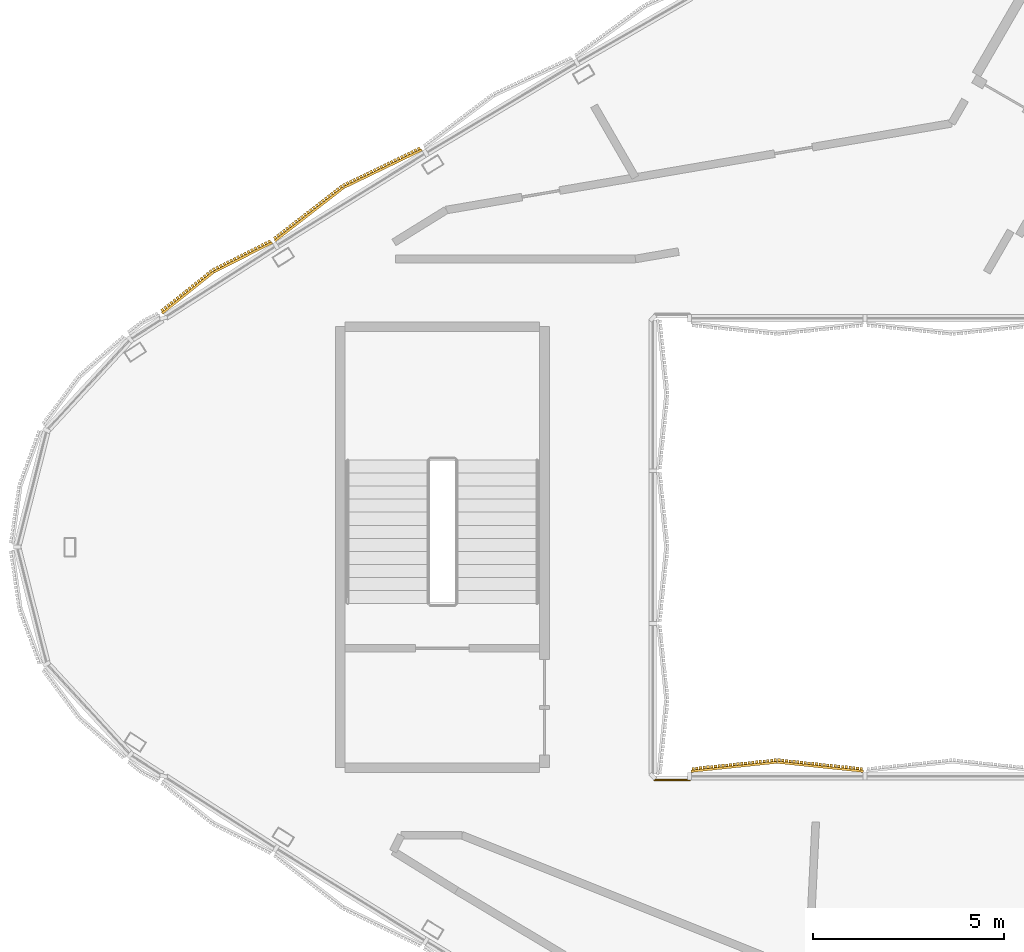
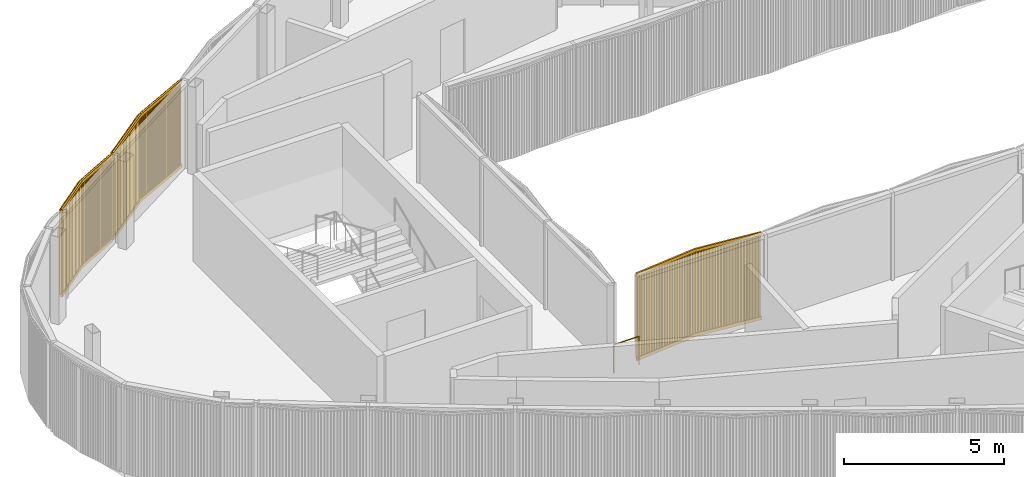
# One storey, part 10 of 16: 3 coverings, 1 railing.
"""IFC4 building model written with IfcOpenShell, lengths in metres."""

import ifcopenshell
import ifcopenshell.guid

model = None  # the IFC model being written
_history = None  # IfcOwnerHistory: only IFC2X3 demands one
_inside = {}  # id of a spatial element -> (the spatial element, [elements in it])
_under = {}  # id of a project, library or spatial element -> (it, [spatial elements below it])
_declared = {}  # id of a project -> (the project, [libraries it declares])
_typed = {}  # id of a type object -> (the type object, [elements of that type])
_made_of = {}  # id of a material, layer set ... -> (it, [elements and type objects made of it])


def new_model(schema):
    """Start an empty IFC model of exactly this schema.

    Asked for "IFC4X3", IfcOpenShell would pick the latest addendum, in which some entities
    have other attributes; the version numbers below select the first issue.
    IFC2X3 requires an IfcOwnerHistory on every rooted entity: one is made here for all.
    """
    global model, _history
    if schema == "IFC4X3":
        model = ifcopenshell.file(schema_version=(4, 3, 0, 0))
    else:
        model = ifcopenshell.file(schema=schema)
    _inside.clear()
    _under.clear()
    _declared.clear()
    _typed.clear()
    _made_of.clear()
    _history = None
    if model.schema == "IFC2X3":
        org = make("IfcOrganization", Name="unknown")
        user = make(
            "IfcPersonAndOrganization",
            ThePerson=make("IfcPerson", FamilyName="unknown"),
            TheOrganization=org,
        )
        app = make(
            "IfcApplication",
            ApplicationDeveloper=org,
            Version="unknown",
            ApplicationFullName="unknown",
            ApplicationIdentifier="unknown",
        )
        _history = make(
            "IfcOwnerHistory",
            OwningUser=user,
            OwningApplication=app,
            ChangeAction="ADDED",
            CreationDate=0,
        )
    return model


def make(cls, **values):
    """One entity of the class cls with the attributes given. An attribute that is None is left unset."""
    return model.create_entity(
        cls, **{name: value for name, value in values.items() if value is not None}
    )


def rooted(cls, **values):
    """An entity with a GlobalId (a new one), such as an element, a storey or a relation."""
    return make(cls, GlobalId=ifcopenshell.guid.new(), OwnerHistory=_history, **values)


def si_unit(unit_type, name, prefix=None):
    """IfcSIUnit, for example si_unit("LENGTHUNIT", "METRE", prefix="MILLI")."""
    return make("IfcSIUnit", UnitType=unit_type, Prefix=prefix, Name=name)


def assignment(units):
    """IfcUnitAssignment: the units of a project."""
    return None if units is None else make("IfcUnitAssignment", Units=units)


def point(xyz):
    """IfcCartesianPoint."""
    return None if xyz is None else make("IfcCartesianPoint", Coordinates=xyz)


def direction(xyz):
    """IfcDirection."""
    return None if xyz is None else make("IfcDirection", DirectionRatios=xyz)


def frame(location, z_axis=None, x_axis=None):
    """IfcAxis2Placement3D, a coordinate frame: its origin and axes. An axis left out is left unset."""
    return make(
        "IfcAxis2Placement3D",
        Location=point(location),
        Axis=direction(z_axis),
        RefDirection=direction(x_axis),
    )


def frame_2d(location, x_axis=None):
    """IfcAxis2Placement2D, a coordinate frame in the plane: its origin and x axis."""
    return make(
        "IfcAxis2Placement2D", Location=point(location), RefDirection=direction(x_axis)
    )


def origin():
    """The frame at (0, 0, 0) with its axes left unset."""
    return frame((0.0, 0.0, 0.0))


def origin_2d():
    """The frame at (0, 0) in the plane with its x axis left unset."""
    return frame_2d((0.0, 0.0))


def place(relative_to, where):
    """IfcLocalPlacement: puts the frame where relative to a parent placement (None: the world)."""
    return make(
        "IfcLocalPlacement", PlacementRelTo=relative_to, RelativePlacement=where
    )


def context(
    kind, dimensions, precision=None, world=None, true_north=None, identifier=None
):
    """IfcGeometricRepresentationContext, for example the 3D "Model" context."""
    return make(
        "IfcGeometricRepresentationContext",
        ContextIdentifier=identifier,
        ContextType=kind,
        CoordinateSpaceDimension=dimensions,
        Precision=precision,
        WorldCoordinateSystem=world,
        TrueNorth=true_north,
    )


def subcontext(parent, identifier, kind, view, scale=None):
    """IfcGeometricRepresentationSubContext, for example "Body" below "Model"."""
    return make(
        "IfcGeometricRepresentationSubContext",
        ContextIdentifier=identifier,
        ContextType=kind,
        ParentContext=parent,
        TargetScale=scale,
        TargetView=view,
    )


def project(units=None, contexts=None):
    """IfcProject with its units and contexts."""
    return rooted(
        "IfcProject",
        Name="project",
        RepresentationContexts=contexts,
        UnitsInContext=assignment(units),
    )


def spatial(cls, under=None, at=None, **own):
    """A site, building, storey or space (cls), placed at a placement, below another one or the project."""
    s = rooted(cls, ObjectPlacement=at, **own)
    if under is not None:
        _under.setdefault(under.id(), (under, []))[1].append(s)
    return s


def profile(cls, at=None, kind="AREA", **sizes):
    """A parametric profile (cls). Its sizes go by their IFC names, for example OverallWidth=200.0."""
    return make(cls, ProfileType=kind, Position=at, **sizes)


def rectangle(**sizes):
    """IfcRectangleProfileDef."""
    return profile("IfcRectangleProfileDef", **sizes)


def circle(**sizes):
    """IfcCircleProfileDef."""
    return profile("IfcCircleProfileDef", **sizes)


def extrude(swept, where, along, depth):
    """IfcExtrudedAreaSolid: the profile swept, set in the frame where, extruded along a direction by depth."""
    return make(
        "IfcExtrudedAreaSolid",
        SweptArea=swept,
        Position=where,
        ExtrudedDirection=direction(along),
        Depth=depth,
    )


def shape(context_of_items, identifier, shape_type, items):
    """IfcShapeRepresentation: the items that make up one representation, for example the "Body"."""
    return make(
        "IfcShapeRepresentation",
        ContextOfItems=context_of_items,
        RepresentationIdentifier=identifier,
        RepresentationType=shape_type,
        Items=items,
    )


def source(mapping_origin, context_of_items, identifier, shape_type, items):
    """IfcRepresentationMap: a shape defined once, which mapped items show again and again."""
    return make(
        "IfcRepresentationMap",
        MappingOrigin=mapping_origin,
        MappedRepresentation=shape(context_of_items, identifier, shape_type, items),
    )


def transform(
    local_origin,
    x_axis=None,
    y_axis=None,
    z_axis=None,
    scale=None,
    scale2=None,
    scale3=None,
    uniform=True,
):
    """IfcCartesianTransformationOperator3D, or its non-uniform kind. x_axis, y_axis, z_axis: its Axis1, 2, 3."""
    if uniform:
        return make(
            "IfcCartesianTransformationOperator3D",
            Axis1=direction(x_axis),
            Axis2=direction(y_axis),
            LocalOrigin=point(local_origin),
            Scale=scale,
            Axis3=direction(z_axis),
        )
    return make(
        "IfcCartesianTransformationOperator3DnonUniform",
        Axis1=direction(x_axis),
        Axis2=direction(y_axis),
        LocalOrigin=point(local_origin),
        Scale=scale,
        Axis3=direction(z_axis),
        Scale2=scale2,
        Scale3=scale3,
    )


def mapped(mapping_source, mapping_target):
    """IfcMappedItem: shows the shape of a source again, moved by a transform."""
    return make(
        "IfcMappedItem", MappingSource=mapping_source, MappingTarget=mapping_target
    )


def material(Name=None, Category=None):
    """IfcMaterial."""
    return make("IfcMaterial", Name=Name, Category=Category)


def made_of(thing, what):
    """Note that an element or type object is made of a material, layer set ...; save() writes the relation."""
    if what is not None:
        _made_of.setdefault(what.id(), (what, []))[1].append(thing)
    return thing


def type_object(cls, material=None, **own):
    """A type object (cls), such as IfcWallType, which elements share."""
    return made_of(rooted(cls, **own), material)


def element(
    cls,
    number,
    at=None,
    inside=None,
    cuts=None,
    type_object=None,
    material=None,
    context=None,
    identifier="Body",
    shape_type=None,
    held_by="IfcProductDefinitionShape",
    body=None,
    shapes=None,
    **own,
):
    """One element of the class cls, such as IfcWall. Its Tag is "e" and its number.

    at: its placement. inside: the storey or other place that contains it. cuts: it is an
    opening in that element (IfcRelVoidsElement). A single representation is given by context,
    identifier, shape_type and body (its items); several are given by shapes. held_by: the class
    of the entity that holds the representations. save() writes the other relations.
    """
    e = rooted(cls, Tag="e%d" % number, ObjectPlacement=at, **own)
    if body is not None:
        shapes = [shape(context, identifier, shape_type, body)]
    if shapes is not None:
        e.Representation = make(held_by, Representations=shapes)
    if inside is not None:
        _inside.setdefault(inside.id(), (inside, []))[1].append(e)
    if cuts is not None:
        rooted(
            "IfcRelVoidsElement", RelatingBuildingElement=cuts, RelatedOpeningElement=e
        )
    if type_object is not None:
        _typed.setdefault(type_object.id(), (type_object, []))[1].append(e)
    return made_of(e, material)


def aggregate(whole, parts):
    """IfcRelAggregates: a whole, such as a stair, and the parts it consists of."""
    return rooted("IfcRelAggregates", RelatingObject=whole, RelatedObjects=parts)


def save(model, path):
    """Write the relations noted so far, then the file.

    IfcRelAggregates (storeys below a building ...), IfcRelContainedInSpatialStructure (elements
    in a storey), IfcRelDefinesByType, IfcRelAssociatesMaterial and IfcRelDeclares: one each for
    every whole, place, type object, material and project.
    """
    for whole, parts in _under.values():
        aggregate(whole, parts)
    for where, things in _inside.values():
        rooted(
            "IfcRelContainedInSpatialStructure",
            RelatedElements=things,
            RelatingStructure=where,
        )
    for kind, things in _typed.values():
        rooted("IfcRelDefinesByType", RelatedObjects=things, RelatingType=kind)
    for what, things in _made_of.values():
        rooted("IfcRelAssociatesMaterial", RelatedObjects=things, RelatingMaterial=what)
    for by, libraries in _declared.values():
        rooted("IfcRelDeclares", RelatingContext=by, RelatedDefinitions=libraries)
    model.write(path)


model = new_model("IFC4")

# Units and contexts
model_context = context("Model", 3, precision=1e-05, world=origin(), true_north=direction((0.0, 1.0)))
body_context = subcontext(model_context, "Body", "Model", "MODEL_VIEW")
ifc_project = project(units=[si_unit("LENGTHUNIT", "METRE"), si_unit("AREAUNIT", "SQUARE_METRE"), si_unit("VOLUMEUNIT", "CUBIC_METRE"), si_unit("PLANEANGLEUNIT", "RADIAN"), si_unit("MASSUNIT", "GRAM", prefix="KILO")], contexts=[model_context])

# Site, building, storey
site_placement = place(None, origin())
site = spatial("IfcSite", under=ifc_project, at=site_placement, CompositionType="ELEMENT")
building_placement = place(site_placement, origin())
building = spatial("IfcBuilding", under=site, at=building_placement, Name="Tamra Quay Hotel Tower", CompositionType="ELEMENT")
storey_placement = place(building_placement, frame((0.0, 0.0, 324.199951171875)))
storey = spatial("IfcBuildingStorey", under=building, at=storey_placement, Name="Roof crown 2", CompositionType="ELEMENT", Elevation=324.199951171875)

# Railing
ifc_material_1 = material(Name="Stainless steel balustrade", Category="steel")
railing_type = type_object("IfcRailingType", Name="EXTERIOR GUARD 1100", PredefinedType="GUARDRAIL", material=ifc_material_1)
railing_placement = place(storey_placement, frame((-7.037353515625, -6.10009765625, 0.0)))
element("IfcRailing", 1, at=railing_placement, inside=storey, type_object=railing_type, Name="GR1", PredefinedType="GUARDRAIL", context=body_context, shape_type="SweptSolid", body=[
    extrude(circle(Radius=0.02392578125, at=origin_2d()), frame((0.0, 0.0, 1.076171875), z_axis=(-1.0, 0.0, 0.0), x_axis=(0.0, -1.0, 0.0)), (0.0, 0.0, 1.0), 0.91259765625),
    extrude(circle(Radius=0.02099609375, at=origin_2d()), origin(), (0.0, 0.0, 1.0), 1.052001953125),
    extrude(circle(Radius=0.02099609375, at=origin_2d()), frame((-0.91259765625, 0.0, 0.0)), (0.0, 0.0, 1.0), 1.052001953125),
])

# Coverings
ifc_material_2 = material(Name="Terracotta baguette extruded", Category="masonry")
covering_type = type_object("IfcCoveringType", Name="BAGUETTE SCREEN CROWN H3350", PredefinedType="USERDEFINED", material=ifc_material_2)
shared_shape_1 = source(origin(), body_context, "Body", "SweptSolid", [
    extrude(rectangle(XDim=2.27490234375, YDim=0.06005859375, at=frame_2d((1.137451171875, 0.030029296875))), frame((-2.268798828125, -0.0576171875, -0.1201171875), z_axis=(0.0, 0.0, 1.0), x_axis=(0.994521895368, -0.104528463268, 0.0)), (0.0, 0.0, 1.0), 0.1201171875),
    extrude(rectangle(XDim=2.27490234375, YDim=0.06005859375, at=frame_2d((1.137451171875, 0.030029296875))), frame((-2.268798828125, -0.0576171875, -3.35009765625), z_axis=(0.0, 0.0, 1.0), x_axis=(0.994521895368, -0.104528463268, 0.0)), (0.0, 0.0, 1.0), 0.1201171875),
    extrude(rectangle(XDim=0.070068359375, YDim=0.10009765625, at=frame_2d((0.03515625, 0.050048828125))), frame((-2.248291015625, -0.133056640625, -3.2900390625)), (0.0, 0.0, 1.0), 3.22998046875),
    extrude(rectangle(XDim=0.070068359375, YDim=0.10009765625, at=frame_2d((0.03515625, 0.050048828125))), frame((-2.14990234375, -0.1435546875, -3.2900390625)), (0.0, 0.0, 1.0), 3.22998046875),
    extrude(rectangle(XDim=0.070068359375, YDim=0.10009765625, at=frame_2d((0.03515625, 0.050048828125))), frame((-2.051513671875, -0.15380859375, -3.2900390625)), (0.0, 0.0, 1.0), 3.22998046875),
    extrude(rectangle(XDim=0.070068359375, YDim=0.10009765625, at=frame_2d((0.03515625, 0.050048828125))), frame((-1.953125, -0.164306640625, -3.2900390625)), (0.0, 0.0, 1.0), 3.22998046875),
    extrude(rectangle(XDim=0.070068359375, YDim=0.10009765625, at=frame_2d((0.03515625, 0.050048828125))), frame((-1.854736328125, -0.174560546875, -3.2900390625)), (0.0, 0.0, 1.0), 3.22998046875),
    extrude(rectangle(XDim=0.070068359375, YDim=0.10009765625, at=frame_2d((0.03515625, 0.050048828125))), frame((-1.756591796875, -0.184814453125, -3.2900390625)), (0.0, 0.0, 1.0), 3.22998046875),
    extrude(rectangle(XDim=0.070068359375, YDim=0.10009765625, at=frame_2d((0.03515625, 0.050048828125))), frame((-1.658203125, -0.1953125, -3.2900390625)), (0.0, 0.0, 1.0), 3.22998046875),
    extrude(rectangle(XDim=0.070068359375, YDim=0.10009765625, at=frame_2d((0.03515625, 0.050048828125))), frame((-1.559814453125, -0.20556640625, -3.2900390625)), (0.0, 0.0, 1.0), 3.22998046875),
    extrude(rectangle(XDim=0.070068359375, YDim=0.10009765625, at=frame_2d((0.03515625, 0.050048828125))), frame((-1.46142578125, -0.2158203125, -3.2900390625)), (0.0, 0.0, 1.0), 3.22998046875),
    extrude(rectangle(XDim=0.070068359375, YDim=0.10009765625, at=frame_2d((0.03515625, 0.050048828125))), frame((-1.363037109375, -0.226318359375, -3.2900390625)), (0.0, 0.0, 1.0), 3.22998046875),
    extrude(rectangle(XDim=0.070068359375, YDim=0.10009765625, at=frame_2d((0.03515625, 0.050048828125))), frame((-1.2646484375, -0.236572265625, -3.2900390625)), (0.0, 0.0, 1.0), 3.22998046875),
    extrude(rectangle(XDim=0.070068359375, YDim=0.10009765625, at=frame_2d((0.03515625, 0.050048828125))), frame((-1.166259765625, -0.246826171875, -3.2900390625)), (0.0, 0.0, 1.0), 3.22998046875),
    extrude(rectangle(XDim=0.070068359375, YDim=0.10009765625, at=frame_2d((0.03515625, 0.050048828125))), frame((-1.06787109375, -0.25732421875, -3.2900390625)), (0.0, 0.0, 1.0), 3.22998046875),
    extrude(rectangle(XDim=0.070068359375, YDim=0.10009765625, at=frame_2d((0.03515625, 0.050048828125))), frame((-0.969482421875, -0.267578125, -3.2900390625)), (0.0, 0.0, 1.0), 3.22998046875),
    extrude(rectangle(XDim=0.070068359375, YDim=0.10009765625, at=frame_2d((0.03515625, 0.050048828125))), frame((-0.87109375, -0.27783203125, -3.2900390625)), (0.0, 0.0, 1.0), 3.22998046875),
    extrude(rectangle(XDim=0.070068359375, YDim=0.10009765625, at=frame_2d((0.03515625, 0.050048828125))), frame((-0.772705078125, -0.288330078125, -3.2900390625)), (0.0, 0.0, 1.0), 3.22998046875),
    extrude(rectangle(XDim=0.070068359375, YDim=0.10009765625, at=frame_2d((0.03515625, 0.050048828125))), frame((-0.67431640625, -0.298583984375, -3.2900390625)), (0.0, 0.0, 1.0), 3.22998046875),
    extrude(rectangle(XDim=0.070068359375, YDim=0.10009765625, at=frame_2d((0.03515625, 0.050048828125))), frame((-0.575927734375, -0.308837890625, -3.2900390625)), (0.0, 0.0, 1.0), 3.22998046875),
    extrude(rectangle(XDim=0.070068359375, YDim=0.10009765625, at=frame_2d((0.03515625, 0.050048828125))), frame((-0.4775390625, -0.3193359375, -3.2900390625)), (0.0, 0.0, 1.0), 3.22998046875),
    extrude(rectangle(XDim=0.070068359375, YDim=0.10009765625, at=frame_2d((0.03515625, 0.050048828125))), frame((-0.37939453125, -0.32958984375, -3.2900390625)), (0.0, 0.0, 1.0), 3.22998046875),
    extrude(rectangle(XDim=0.070068359375, YDim=0.10009765625, at=frame_2d((0.03515625, 0.050048828125))), frame((-0.281005859375, -0.33984375, -3.2900390625)), (0.0, 0.0, 1.0), 3.22998046875),
    extrude(rectangle(XDim=0.070068359375, YDim=0.10009765625, at=frame_2d((0.03515625, 0.050048828125))), frame((-0.1826171875, -0.350341796875, -3.2900390625)), (0.0, 0.0, 1.0), 3.22998046875),
    extrude(rectangle(XDim=0.070068359375, YDim=0.10009765625, at=frame_2d((0.03515625, 0.050048828125))), frame((-0.084228515625, -0.360595703125, -3.2900390625)), (0.0, 0.0, 1.0), 3.22998046875),
    extrude(rectangle(XDim=2.27490234375, YDim=0.06005859375, at=frame_2d((1.137451171875, 0.030029296875))), frame((0.00634765625, -0.29541015625, -0.1201171875), z_axis=(0.0, 0.0, 1.0), x_axis=(0.994521895368, 0.104528463268, 0.0)), (0.0, 0.0, 1.0), 0.1201171875),
    extrude(rectangle(XDim=2.27490234375, YDim=0.06005859375, at=frame_2d((1.137451171875, 0.030029296875))), frame((0.00634765625, -0.29541015625, -3.35009765625), z_axis=(0.0, 0.0, 1.0), x_axis=(0.994521895368, 0.104528463268, 0.0)), (0.0, 0.0, 1.0), 0.1201171875),
    extrude(rectangle(XDim=0.070068359375, YDim=0.10009765625, at=frame_2d((0.03515625, 0.050048828125))), frame((0.01416015625, -0.360595703125, -3.2900390625)), (0.0, 0.0, 1.0), 3.22998046875),
    extrude(rectangle(XDim=0.070068359375, YDim=0.10009765625, at=frame_2d((0.03515625, 0.050048828125))), frame((0.112548828125, -0.350341796875, -3.2900390625)), (0.0, 0.0, 1.0), 3.22998046875),
    extrude(rectangle(XDim=0.070068359375, YDim=0.10009765625, at=frame_2d((0.03515625, 0.050048828125))), frame((0.2109375, -0.33984375, -3.2900390625)), (0.0, 0.0, 1.0), 3.22998046875),
    extrude(rectangle(XDim=0.070068359375, YDim=0.10009765625, at=frame_2d((0.03515625, 0.050048828125))), frame((0.309326171875, -0.32958984375, -3.2900390625)), (0.0, 0.0, 1.0), 3.22998046875),
    extrude(rectangle(XDim=0.070068359375, YDim=0.10009765625, at=frame_2d((0.03515625, 0.050048828125))), frame((0.40771484375, -0.3193359375, -3.2900390625)), (0.0, 0.0, 1.0), 3.22998046875),
    extrude(rectangle(XDim=0.070068359375, YDim=0.10009765625, at=frame_2d((0.03515625, 0.050048828125))), frame((0.506103515625, -0.308837890625, -3.2900390625)), (0.0, 0.0, 1.0), 3.22998046875),
    extrude(rectangle(XDim=0.070068359375, YDim=0.10009765625, at=frame_2d((0.03515625, 0.050048828125))), frame((0.6044921875, -0.298583984375, -3.2900390625)), (0.0, 0.0, 1.0), 3.22998046875),
    extrude(rectangle(XDim=0.070068359375, YDim=0.10009765625, at=frame_2d((0.03515625, 0.050048828125))), frame((0.702880859375, -0.288330078125, -3.2900390625)), (0.0, 0.0, 1.0), 3.22998046875),
    extrude(rectangle(XDim=0.070068359375, YDim=0.10009765625, at=frame_2d((0.03515625, 0.050048828125))), frame((0.801025390625, -0.27783203125, -3.2900390625)), (0.0, 0.0, 1.0), 3.22998046875),
    extrude(rectangle(XDim=0.070068359375, YDim=0.10009765625, at=frame_2d((0.03515625, 0.050048828125))), frame((0.8994140625, -0.267578125, -3.2900390625)), (0.0, 0.0, 1.0), 3.22998046875),
    extrude(rectangle(XDim=0.070068359375, YDim=0.10009765625, at=frame_2d((0.03515625, 0.050048828125))), frame((0.997802734375, -0.25732421875, -3.2900390625)), (0.0, 0.0, 1.0), 3.22998046875),
    extrude(rectangle(XDim=0.070068359375, YDim=0.10009765625, at=frame_2d((0.03515625, 0.050048828125))), frame((1.09619140625, -0.246826171875, -3.2900390625)), (0.0, 0.0, 1.0), 3.22998046875),
    extrude(rectangle(XDim=0.070068359375, YDim=0.10009765625, at=frame_2d((0.03515625, 0.050048828125))), frame((1.194580078125, -0.236572265625, -3.2900390625)), (0.0, 0.0, 1.0), 3.22998046875),
    extrude(rectangle(XDim=0.070068359375, YDim=0.10009765625, at=frame_2d((0.03515625, 0.050048828125))), frame((1.29296875, -0.226318359375, -3.2900390625)), (0.0, 0.0, 1.0), 3.22998046875),
    extrude(rectangle(XDim=0.070068359375, YDim=0.10009765625, at=frame_2d((0.03515625, 0.050048828125))), frame((1.391357421875, -0.2158203125, -3.2900390625)), (0.0, 0.0, 1.0), 3.22998046875),
    extrude(rectangle(XDim=0.070068359375, YDim=0.10009765625, at=frame_2d((0.03515625, 0.050048828125))), frame((1.48974609375, -0.20556640625, -3.2900390625)), (0.0, 0.0, 1.0), 3.22998046875),
    extrude(rectangle(XDim=0.070068359375, YDim=0.10009765625, at=frame_2d((0.03515625, 0.050048828125))), frame((1.588134765625, -0.1953125, -3.2900390625)), (0.0, 0.0, 1.0), 3.22998046875),
    extrude(rectangle(XDim=0.070068359375, YDim=0.10009765625, at=frame_2d((0.03515625, 0.050048828125))), frame((1.6865234375, -0.184814453125, -3.2900390625)), (0.0, 0.0, 1.0), 3.22998046875),
    extrude(rectangle(XDim=0.070068359375, YDim=0.10009765625, at=frame_2d((0.03515625, 0.050048828125))), frame((1.784912109375, -0.174560546875, -3.2900390625)), (0.0, 0.0, 1.0), 3.22998046875),
    extrude(rectangle(XDim=0.070068359375, YDim=0.10009765625, at=frame_2d((0.03515625, 0.050048828125))), frame((1.88330078125, -0.164306640625, -3.2900390625)), (0.0, 0.0, 1.0), 3.22998046875),
    extrude(rectangle(XDim=0.070068359375, YDim=0.10009765625, at=frame_2d((0.03515625, 0.050048828125))), frame((1.981689453125, -0.15380859375, -3.2900390625)), (0.0, 0.0, 1.0), 3.22998046875),
    extrude(rectangle(XDim=0.070068359375, YDim=0.10009765625, at=frame_2d((0.03515625, 0.050048828125))), frame((2.079833984375, -0.1435546875, -3.2900390625)), (0.0, 0.0, 1.0), 3.22998046875),
    extrude(rectangle(XDim=0.070068359375, YDim=0.10009765625, at=frame_2d((0.03515625, 0.050048828125))), frame((2.17822265625, -0.133056640625, -3.2900390625)), (0.0, 0.0, 1.0), 3.22998046875),
])
covering_1_placement = place(storey_placement, frame((-15.95947265625, 9.189453125, 3.35009765625), z_axis=(0.0, 0.0, 1.0), x_axis=(-0.849981732244, -0.526812162779, 0.0)))
element("IfcCovering", 2, at=covering_1_placement, inside=storey, type_object=covering_type, Name="Baguette screen Roof crown 2.A.f10", ObjectType="BAGUETTE SCREEN", PredefinedType="USERDEFINED", context=body_context, shape_type="MappedRepresentation", body=[
    mapped(shared_shape_1, transform((0.0, 0.0, 0.0), scale=1.0)),
])
shared_shape_2 = source(origin(), body_context, "Body", "SweptSolid", [
    extrude(rectangle(XDim=1.721923828125, YDim=0.06005859375, at=frame_2d((0.86083984375, 0.030029296875))), frame((-1.71875, -0.0576171875, -0.1201171875), z_axis=(0.0, 0.0, 1.0), x_axis=(0.994521895368, -0.104528463268, 0.0)), (0.0, 0.0, 1.0), 0.1201171875),
    extrude(rectangle(XDim=1.721923828125, YDim=0.06005859375, at=frame_2d((0.86083984375, 0.030029296875))), frame((-1.71875, -0.0576171875, -3.35009765625), z_axis=(0.0, 0.0, 1.0), x_axis=(0.994521895368, -0.104528463268, 0.0)), (0.0, 0.0, 1.0), 0.1201171875),
    extrude(rectangle(XDim=0.070068359375, YDim=0.10009765625, at=frame_2d((0.03515625, 0.050048828125))), frame((-1.697021484375, -0.13330078125, -3.2900390625)), (0.0, 0.0, 1.0), 3.22998046875),
    extrude(rectangle(XDim=0.070068359375, YDim=0.10009765625, at=frame_2d((0.03515625, 0.050048828125))), frame((-1.596435546875, -0.143798828125, -3.2900390625)), (0.0, 0.0, 1.0), 3.22998046875),
    extrude(rectangle(XDim=0.070068359375, YDim=0.10009765625, at=frame_2d((0.03515625, 0.050048828125))), frame((-1.49560546875, -0.154541015625, -3.2900390625)), (0.0, 0.0, 1.0), 3.22998046875),
    extrude(rectangle(XDim=0.070068359375, YDim=0.10009765625, at=frame_2d((0.03515625, 0.050048828125))), frame((-1.39501953125, -0.1650390625, -3.2900390625)), (0.0, 0.0, 1.0), 3.22998046875),
    extrude(rectangle(XDim=0.070068359375, YDim=0.10009765625, at=frame_2d((0.03515625, 0.050048828125))), frame((-1.294189453125, -0.175537109375, -3.2900390625)), (0.0, 0.0, 1.0), 3.22998046875),
    extrude(rectangle(XDim=0.070068359375, YDim=0.10009765625, at=frame_2d((0.03515625, 0.050048828125))), frame((-1.193359375, -0.186279296875, -3.2900390625)), (0.0, 0.0, 1.0), 3.22998046875),
    extrude(rectangle(XDim=0.070068359375, YDim=0.10009765625, at=frame_2d((0.03515625, 0.050048828125))), frame((-1.0927734375, -0.19677734375, -3.2900390625)), (0.0, 0.0, 1.0), 3.22998046875),
    extrude(rectangle(XDim=0.070068359375, YDim=0.10009765625, at=frame_2d((0.03515625, 0.050048828125))), frame((-0.991943359375, -0.20751953125, -3.2900390625)), (0.0, 0.0, 1.0), 3.22998046875),
    extrude(rectangle(XDim=0.070068359375, YDim=0.10009765625, at=frame_2d((0.03515625, 0.050048828125))), frame((-0.891357421875, -0.218017578125, -3.2900390625)), (0.0, 0.0, 1.0), 3.22998046875),
    extrude(rectangle(XDim=0.070068359375, YDim=0.10009765625, at=frame_2d((0.03515625, 0.050048828125))), frame((-0.79052734375, -0.228515625, -3.2900390625)), (0.0, 0.0, 1.0), 3.22998046875),
    extrude(rectangle(XDim=0.070068359375, YDim=0.10009765625, at=frame_2d((0.03515625, 0.050048828125))), frame((-0.689697265625, -0.2392578125, -3.2900390625)), (0.0, 0.0, 1.0), 3.22998046875),
    extrude(rectangle(XDim=0.070068359375, YDim=0.10009765625, at=frame_2d((0.03515625, 0.050048828125))), frame((-0.589111328125, -0.249755859375, -3.2900390625)), (0.0, 0.0, 1.0), 3.22998046875),
    extrude(rectangle(XDim=0.070068359375, YDim=0.10009765625, at=frame_2d((0.03515625, 0.050048828125))), frame((-0.48828125, -0.26025390625, -3.2900390625)), (0.0, 0.0, 1.0), 3.22998046875),
    extrude(rectangle(XDim=0.070068359375, YDim=0.10009765625, at=frame_2d((0.03515625, 0.050048828125))), frame((-0.387451171875, -0.27099609375, -3.2900390625)), (0.0, 0.0, 1.0), 3.22998046875),
    extrude(rectangle(XDim=0.070068359375, YDim=0.10009765625, at=frame_2d((0.03515625, 0.050048828125))), frame((-0.286865234375, -0.281494140625, -3.2900390625)), (0.0, 0.0, 1.0), 3.22998046875),
    extrude(rectangle(XDim=0.070068359375, YDim=0.10009765625, at=frame_2d((0.03515625, 0.050048828125))), frame((-0.18603515625, -0.2919921875, -3.2900390625)), (0.0, 0.0, 1.0), 3.22998046875),
    extrude(rectangle(XDim=0.070068359375, YDim=0.10009765625, at=frame_2d((0.03515625, 0.050048828125))), frame((-0.08544921875, -0.302734375, -3.2900390625)), (0.0, 0.0, 1.0), 3.22998046875),
    extrude(rectangle(XDim=1.721923828125, YDim=0.06005859375, at=frame_2d((0.86083984375, 0.030029296875))), frame((0.00634765625, -0.237548828125, -0.1201171875), z_axis=(0.0, 0.0, 1.0), x_axis=(0.994521895368, 0.104528463268, 0.0)), (0.0, 0.0, 1.0), 0.1201171875),
    extrude(rectangle(XDim=1.721923828125, YDim=0.06005859375, at=frame_2d((0.86083984375, 0.030029296875))), frame((0.00634765625, -0.237548828125, -3.35009765625), z_axis=(0.0, 0.0, 1.0), x_axis=(0.994521895368, 0.104528463268, 0.0)), (0.0, 0.0, 1.0), 0.1201171875),
    extrude(rectangle(XDim=0.070068359375, YDim=0.10009765625, at=frame_2d((0.03515625, 0.050048828125))), frame((0.015380859375, -0.302734375, -3.2900390625)), (0.0, 0.0, 1.0), 3.22998046875),
    extrude(rectangle(XDim=0.070068359375, YDim=0.10009765625, at=frame_2d((0.03515625, 0.050048828125))), frame((0.1162109375, -0.2919921875, -3.2900390625)), (0.0, 0.0, 1.0), 3.22998046875),
    extrude(rectangle(XDim=0.070068359375, YDim=0.10009765625, at=frame_2d((0.03515625, 0.050048828125))), frame((0.216796875, -0.281494140625, -3.2900390625)), (0.0, 0.0, 1.0), 3.22998046875),
    extrude(rectangle(XDim=0.070068359375, YDim=0.10009765625, at=frame_2d((0.03515625, 0.050048828125))), frame((0.317626953125, -0.27099609375, -3.2900390625)), (0.0, 0.0, 1.0), 3.22998046875),
    extrude(rectangle(XDim=0.070068359375, YDim=0.10009765625, at=frame_2d((0.03515625, 0.050048828125))), frame((0.418212890625, -0.26025390625, -3.2900390625)), (0.0, 0.0, 1.0), 3.22998046875),
    extrude(rectangle(XDim=0.070068359375, YDim=0.10009765625, at=frame_2d((0.03515625, 0.050048828125))), frame((0.51904296875, -0.249755859375, -3.2900390625)), (0.0, 0.0, 1.0), 3.22998046875),
    extrude(rectangle(XDim=0.070068359375, YDim=0.10009765625, at=frame_2d((0.03515625, 0.050048828125))), frame((0.619873046875, -0.2392578125, -3.2900390625)), (0.0, 0.0, 1.0), 3.22998046875),
    extrude(rectangle(XDim=0.070068359375, YDim=0.10009765625, at=frame_2d((0.03515625, 0.050048828125))), frame((0.720458984375, -0.228515625, -3.2900390625)), (0.0, 0.0, 1.0), 3.22998046875),
    extrude(rectangle(XDim=0.070068359375, YDim=0.10009765625, at=frame_2d((0.03515625, 0.050048828125))), frame((0.8212890625, -0.218017578125, -3.2900390625)), (0.0, 0.0, 1.0), 3.22998046875),
    extrude(rectangle(XDim=0.070068359375, YDim=0.10009765625, at=frame_2d((0.03515625, 0.050048828125))), frame((0.921875, -0.20751953125, -3.2900390625)), (0.0, 0.0, 1.0), 3.22998046875),
    extrude(rectangle(XDim=0.070068359375, YDim=0.10009765625, at=frame_2d((0.03515625, 0.050048828125))), frame((1.022705078125, -0.19677734375, -3.2900390625)), (0.0, 0.0, 1.0), 3.22998046875),
    extrude(rectangle(XDim=0.070068359375, YDim=0.10009765625, at=frame_2d((0.03515625, 0.050048828125))), frame((1.12353515625, -0.186279296875, -3.2900390625)), (0.0, 0.0, 1.0), 3.22998046875),
    extrude(rectangle(XDim=0.070068359375, YDim=0.10009765625, at=frame_2d((0.03515625, 0.050048828125))), frame((1.22412109375, -0.175537109375, -3.2900390625)), (0.0, 0.0, 1.0), 3.22998046875),
    extrude(rectangle(XDim=0.070068359375, YDim=0.10009765625, at=frame_2d((0.03515625, 0.050048828125))), frame((1.324951171875, -0.1650390625, -3.2900390625)), (0.0, 0.0, 1.0), 3.22998046875),
    extrude(rectangle(XDim=0.070068359375, YDim=0.10009765625, at=frame_2d((0.03515625, 0.050048828125))), frame((1.42578125, -0.154541015625, -3.2900390625)), (0.0, 0.0, 1.0), 3.22998046875),
    extrude(rectangle(XDim=0.070068359375, YDim=0.10009765625, at=frame_2d((0.03515625, 0.050048828125))), frame((1.5263671875, -0.143798828125, -3.2900390625)), (0.0, 0.0, 1.0), 3.22998046875),
    extrude(rectangle(XDim=0.070068359375, YDim=0.10009765625, at=frame_2d((0.03515625, 0.050048828125))), frame((1.627197265625, -0.13330078125, -3.2900390625)), (0.0, 0.0, 1.0), 3.22998046875),
])
covering_2_placement = place(storey_placement, frame((-19.394775390625, 7.028076171875, 3.35009765625), z_axis=(0.0, 0.0, 1.0), x_axis=(-0.841664964506, -0.54000008104, 0.0)))
element("IfcCovering", 3, at=covering_2_placement, inside=storey, type_object=covering_type, Name="Baguette screen Roof crown 2.A.f11", ObjectType="BAGUETTE SCREEN", PredefinedType="USERDEFINED", context=body_context, shape_type="MappedRepresentation", body=[
    mapped(shared_shape_2, transform((0.0, 0.0, 0.0), scale=1.0)),
])
shared_shape_3 = source(origin(), body_context, "Body", "SweptSolid", [
    extrude(rectangle(XDim=2.264892578125, YDim=0.06005859375, at=frame_2d((1.13232421875, 0.030029296875))), frame((-2.2587890625, -0.0576171875, -0.1201171875), z_axis=(0.0, 0.0, 1.0), x_axis=(0.994521895368, -0.104528463268, 0.0)), (0.0, 0.0, 1.0), 0.1201171875),
    extrude(rectangle(XDim=2.264892578125, YDim=0.06005859375, at=frame_2d((1.13232421875, 0.030029296875))), frame((-2.2587890625, -0.0576171875, -3.35009765625), z_axis=(0.0, 0.0, 1.0), x_axis=(0.994521895368, -0.104528463268, 0.0)), (0.0, 0.0, 1.0), 0.1201171875),
    extrude(rectangle(XDim=0.070068359375, YDim=0.10009765625, at=frame_2d((0.03515625, 0.050048828125))), frame((-2.238525390625, -0.133056640625, -3.2900390625)), (0.0, 0.0, 1.0), 3.22998046875),
    extrude(rectangle(XDim=0.070068359375, YDim=0.10009765625, at=frame_2d((0.03515625, 0.050048828125))), frame((-2.140625, -0.1435546875, -3.2900390625)), (0.0, 0.0, 1.0), 3.22998046875),
    extrude(rectangle(XDim=0.070068359375, YDim=0.10009765625, at=frame_2d((0.03515625, 0.050048828125))), frame((-2.042724609375, -0.15380859375, -3.2900390625)), (0.0, 0.0, 1.0), 3.22998046875),
    extrude(rectangle(XDim=0.070068359375, YDim=0.10009765625, at=frame_2d((0.03515625, 0.050048828125))), frame((-1.94482421875, -0.1640625, -3.2900390625)), (0.0, 0.0, 1.0), 3.22998046875),
    extrude(rectangle(XDim=0.070068359375, YDim=0.10009765625, at=frame_2d((0.03515625, 0.050048828125))), frame((-1.8466796875, -0.17431640625, -3.2900390625)), (0.0, 0.0, 1.0), 3.22998046875),
    extrude(rectangle(XDim=0.070068359375, YDim=0.10009765625, at=frame_2d((0.03515625, 0.050048828125))), frame((-1.748779296875, -0.1845703125, -3.2900390625)), (0.0, 0.0, 1.0), 3.22998046875),
    extrude(rectangle(XDim=0.070068359375, YDim=0.10009765625, at=frame_2d((0.03515625, 0.050048828125))), frame((-1.65087890625, -0.19482421875, -3.2900390625)), (0.0, 0.0, 1.0), 3.22998046875),
    extrude(rectangle(XDim=0.070068359375, YDim=0.10009765625, at=frame_2d((0.03515625, 0.050048828125))), frame((-1.552978515625, -0.205078125, -3.2900390625)), (0.0, 0.0, 1.0), 3.22998046875),
    extrude(rectangle(XDim=0.070068359375, YDim=0.10009765625, at=frame_2d((0.03515625, 0.050048828125))), frame((-1.455078125, -0.215576171875, -3.2900390625)), (0.0, 0.0, 1.0), 3.22998046875),
    extrude(rectangle(XDim=0.070068359375, YDim=0.10009765625, at=frame_2d((0.03515625, 0.050048828125))), frame((-1.357177734375, -0.225830078125, -3.2900390625)), (0.0, 0.0, 1.0), 3.22998046875),
    extrude(rectangle(XDim=0.070068359375, YDim=0.10009765625, at=frame_2d((0.03515625, 0.050048828125))), frame((-1.25927734375, -0.236083984375, -3.2900390625)), (0.0, 0.0, 1.0), 3.22998046875),
    extrude(rectangle(XDim=0.070068359375, YDim=0.10009765625, at=frame_2d((0.03515625, 0.050048828125))), frame((-1.1611328125, -0.246337890625, -3.2900390625)), (0.0, 0.0, 1.0), 3.22998046875),
    extrude(rectangle(XDim=0.070068359375, YDim=0.10009765625, at=frame_2d((0.03515625, 0.050048828125))), frame((-1.063232421875, -0.256591796875, -3.2900390625)), (0.0, 0.0, 1.0), 3.22998046875),
    extrude(rectangle(XDim=0.070068359375, YDim=0.10009765625, at=frame_2d((0.03515625, 0.050048828125))), frame((-0.96533203125, -0.266845703125, -3.2900390625)), (0.0, 0.0, 1.0), 3.22998046875),
    extrude(rectangle(XDim=0.070068359375, YDim=0.10009765625, at=frame_2d((0.03515625, 0.050048828125))), frame((-0.867431640625, -0.27734375, -3.2900390625)), (0.0, 0.0, 1.0), 3.22998046875),
    extrude(rectangle(XDim=0.070068359375, YDim=0.10009765625, at=frame_2d((0.03515625, 0.050048828125))), frame((-0.76953125, -0.28759765625, -3.2900390625)), (0.0, 0.0, 1.0), 3.22998046875),
    extrude(rectangle(XDim=0.070068359375, YDim=0.10009765625, at=frame_2d((0.03515625, 0.050048828125))), frame((-0.671630859375, -0.2978515625, -3.2900390625)), (0.0, 0.0, 1.0), 3.22998046875),
    extrude(rectangle(XDim=0.070068359375, YDim=0.10009765625, at=frame_2d((0.03515625, 0.050048828125))), frame((-0.57373046875, -0.30810546875, -3.2900390625)), (0.0, 0.0, 1.0), 3.22998046875),
    extrude(rectangle(XDim=0.070068359375, YDim=0.10009765625, at=frame_2d((0.03515625, 0.050048828125))), frame((-0.475830078125, -0.318359375, -3.2900390625)), (0.0, 0.0, 1.0), 3.22998046875),
    extrude(rectangle(XDim=0.070068359375, YDim=0.10009765625, at=frame_2d((0.03515625, 0.050048828125))), frame((-0.377685546875, -0.32861328125, -3.2900390625)), (0.0, 0.0, 1.0), 3.22998046875),
    extrude(rectangle(XDim=0.070068359375, YDim=0.10009765625, at=frame_2d((0.03515625, 0.050048828125))), frame((-0.27978515625, -0.339111328125, -3.2900390625)), (0.0, 0.0, 1.0), 3.22998046875),
    extrude(rectangle(XDim=0.070068359375, YDim=0.10009765625, at=frame_2d((0.03515625, 0.050048828125))), frame((-0.181884765625, -0.349365234375, -3.2900390625)), (0.0, 0.0, 1.0), 3.22998046875),
    extrude(rectangle(XDim=0.070068359375, YDim=0.10009765625, at=frame_2d((0.03515625, 0.050048828125))), frame((-0.083984375, -0.359619140625, -3.2900390625)), (0.0, 0.0, 1.0), 3.22998046875),
    extrude(rectangle(XDim=2.264892578125, YDim=0.06005859375, at=frame_2d((1.13232421875, 0.030029296875))), frame((0.00634765625, -0.29443359375, -0.1201171875), z_axis=(0.0, 0.0, 1.0), x_axis=(0.994521895368, 0.104528463268, 0.0)), (0.0, 0.0, 1.0), 0.1201171875),
    extrude(rectangle(XDim=2.264892578125, YDim=0.06005859375, at=frame_2d((1.13232421875, 0.030029296875))), frame((0.00634765625, -0.29443359375, -3.35009765625), z_axis=(0.0, 0.0, 1.0), x_axis=(0.994521895368, 0.104528463268, 0.0)), (0.0, 0.0, 1.0), 0.1201171875),
    extrude(rectangle(XDim=0.070068359375, YDim=0.10009765625, at=frame_2d((0.03515625, 0.050048828125))), frame((0.013916015625, -0.359619140625, -3.2900390625)), (0.0, 0.0, 1.0), 3.22998046875),
    extrude(rectangle(XDim=0.070068359375, YDim=0.10009765625, at=frame_2d((0.03515625, 0.050048828125))), frame((0.11181640625, -0.349365234375, -3.2900390625)), (0.0, 0.0, 1.0), 3.22998046875),
    extrude(rectangle(XDim=0.070068359375, YDim=0.10009765625, at=frame_2d((0.03515625, 0.050048828125))), frame((0.2099609375, -0.339111328125, -3.2900390625)), (0.0, 0.0, 1.0), 3.22998046875),
    extrude(rectangle(XDim=0.070068359375, YDim=0.10009765625, at=frame_2d((0.03515625, 0.050048828125))), frame((0.307861328125, -0.32861328125, -3.2900390625)), (0.0, 0.0, 1.0), 3.22998046875),
    extrude(rectangle(XDim=0.070068359375, YDim=0.10009765625, at=frame_2d((0.03515625, 0.050048828125))), frame((0.40576171875, -0.318359375, -3.2900390625)), (0.0, 0.0, 1.0), 3.22998046875),
    extrude(rectangle(XDim=0.070068359375, YDim=0.10009765625, at=frame_2d((0.03515625, 0.050048828125))), frame((0.503662109375, -0.30810546875, -3.2900390625)), (0.0, 0.0, 1.0), 3.22998046875),
    extrude(rectangle(XDim=0.070068359375, YDim=0.10009765625, at=frame_2d((0.03515625, 0.050048828125))), frame((0.6015625, -0.2978515625, -3.2900390625)), (0.0, 0.0, 1.0), 3.22998046875),
    extrude(rectangle(XDim=0.070068359375, YDim=0.10009765625, at=frame_2d((0.03515625, 0.050048828125))), frame((0.699462890625, -0.28759765625, -3.2900390625)), (0.0, 0.0, 1.0), 3.22998046875),
    extrude(rectangle(XDim=0.070068359375, YDim=0.10009765625, at=frame_2d((0.03515625, 0.050048828125))), frame((0.79736328125, -0.27734375, -3.2900390625)), (0.0, 0.0, 1.0), 3.22998046875),
    extrude(rectangle(XDim=0.070068359375, YDim=0.10009765625, at=frame_2d((0.03515625, 0.050048828125))), frame((0.895263671875, -0.266845703125, -3.2900390625)), (0.0, 0.0, 1.0), 3.22998046875),
    extrude(rectangle(XDim=0.070068359375, YDim=0.10009765625, at=frame_2d((0.03515625, 0.050048828125))), frame((0.993408203125, -0.256591796875, -3.2900390625)), (0.0, 0.0, 1.0), 3.22998046875),
    extrude(rectangle(XDim=0.070068359375, YDim=0.10009765625, at=frame_2d((0.03515625, 0.050048828125))), frame((1.09130859375, -0.246337890625, -3.2900390625)), (0.0, 0.0, 1.0), 3.22998046875),
    extrude(rectangle(XDim=0.070068359375, YDim=0.10009765625, at=frame_2d((0.03515625, 0.050048828125))), frame((1.189208984375, -0.236083984375, -3.2900390625)), (0.0, 0.0, 1.0), 3.22998046875),
    extrude(rectangle(XDim=0.070068359375, YDim=0.10009765625, at=frame_2d((0.03515625, 0.050048828125))), frame((1.287109375, -0.225830078125, -3.2900390625)), (0.0, 0.0, 1.0), 3.22998046875),
    extrude(rectangle(XDim=0.070068359375, YDim=0.10009765625, at=frame_2d((0.03515625, 0.050048828125))), frame((1.385009765625, -0.215576171875, -3.2900390625)), (0.0, 0.0, 1.0), 3.22998046875),
    extrude(rectangle(XDim=0.070068359375, YDim=0.10009765625, at=frame_2d((0.03515625, 0.050048828125))), frame((1.48291015625, -0.205078125, -3.2900390625)), (0.0, 0.0, 1.0), 3.22998046875),
    extrude(rectangle(XDim=0.070068359375, YDim=0.10009765625, at=frame_2d((0.03515625, 0.050048828125))), frame((1.580810546875, -0.19482421875, -3.2900390625)), (0.0, 0.0, 1.0), 3.22998046875),
    extrude(rectangle(XDim=0.070068359375, YDim=0.10009765625, at=frame_2d((0.03515625, 0.050048828125))), frame((1.678955078125, -0.1845703125, -3.2900390625)), (0.0, 0.0, 1.0), 3.22998046875),
    extrude(rectangle(XDim=0.070068359375, YDim=0.10009765625, at=frame_2d((0.03515625, 0.050048828125))), frame((1.77685546875, -0.17431640625, -3.2900390625)), (0.0, 0.0, 1.0), 3.22998046875),
    extrude(rectangle(XDim=0.070068359375, YDim=0.10009765625, at=frame_2d((0.03515625, 0.050048828125))), frame((1.874755859375, -0.1640625, -3.2900390625)), (0.0, 0.0, 1.0), 3.22998046875),
    extrude(rectangle(XDim=0.070068359375, YDim=0.10009765625, at=frame_2d((0.03515625, 0.050048828125))), frame((1.97265625, -0.15380859375, -3.2900390625)), (0.0, 0.0, 1.0), 3.22998046875),
    extrude(rectangle(XDim=0.070068359375, YDim=0.10009765625, at=frame_2d((0.03515625, 0.050048828125))), frame((2.070556640625, -0.1435546875, -3.2900390625)), (0.0, 0.0, 1.0), 3.22998046875),
    extrude(rectangle(XDim=0.070068359375, YDim=0.10009765625, at=frame_2d((0.03515625, 0.050048828125))), frame((2.16845703125, -0.133056640625, -3.2900390625)), (0.0, 0.0, 1.0), 3.22998046875),
])
covering_3_placement = place(storey_placement, frame((-4.740966796875, -5.902099609375, 3.35009765625), z_axis=(0.0, 0.0, 1.0), x_axis=(-1.0, 0.0, 0.0)))
element("IfcCovering", 4, at=covering_3_placement, inside=storey, type_object=covering_type, Name="Baguette screen Roof crown 2.B.f04", ObjectType="BAGUETTE SCREEN", PredefinedType="USERDEFINED", context=body_context, shape_type="MappedRepresentation", body=[
    mapped(shared_shape_3, transform((0.0, 0.0, 0.0), scale=1.0)),
])

save(model, "model.ifc")
